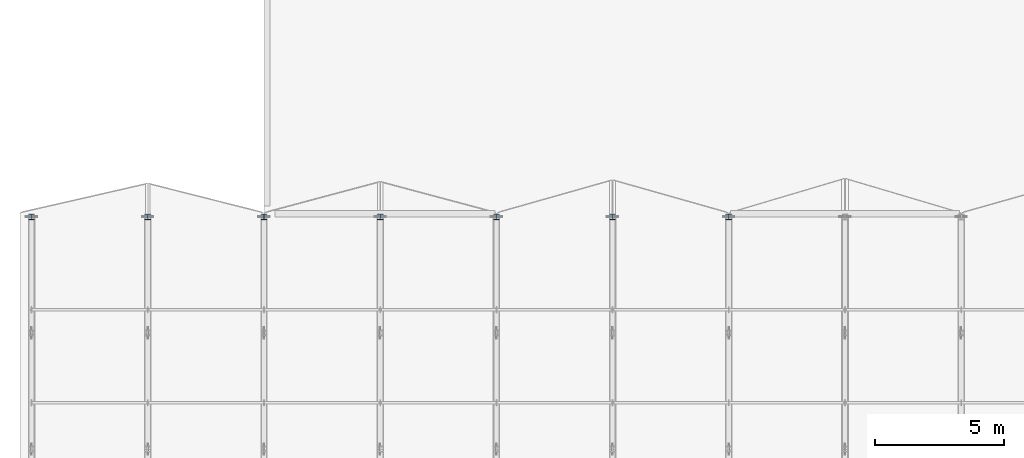
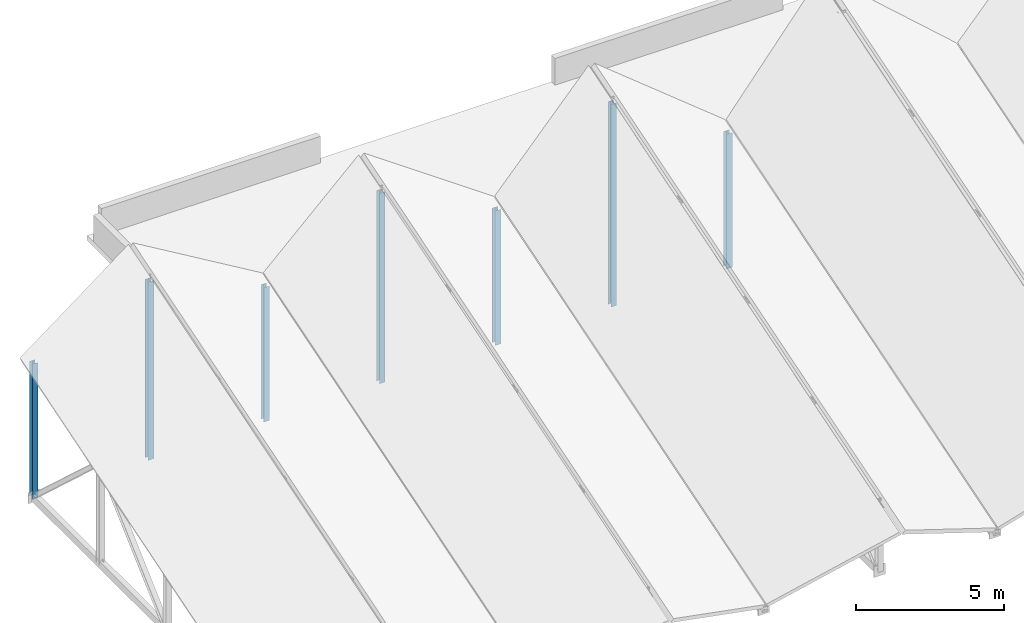
# One storey, part 68 of 142: 7 members.
"""IFC4 building model written with IfcOpenShell, lengths in metres."""

from ifc_helpers import new_model, si_unit, direction, frame, origin, origin_2d, place, context, subcontext, project, spatial, i_section, extrude, material, material_profile, profile_set, type_object, element, save


model = new_model("IFC4")

# Units and contexts
model_context = context("Model", 3, precision=1e-05, world=origin(), true_north=direction((0.0, 1.0)))
body_context = subcontext(model_context, "Body", "Model", "MODEL_VIEW")
ifc_project = project(units=[si_unit("LENGTHUNIT", "METRE"), si_unit("AREAUNIT", "SQUARE_METRE"), si_unit("VOLUMEUNIT", "CUBIC_METRE"), si_unit("PLANEANGLEUNIT", "RADIAN"), si_unit("MASSUNIT", "GRAM", prefix="KILO")], contexts=[model_context])

# Site, building, storey
site_placement = place(None, origin())
site = spatial("IfcSite", under=ifc_project, at=site_placement, CompositionType="ELEMENT")
building_placement = place(site_placement, origin())
building = spatial("IfcBuilding", under=site, at=building_placement, Name="Montelvaro Courts of Justice", CompositionType="ELEMENT")
storey_placement = place(building_placement, frame((0.0, 0.0, 14.39990234375)))
storey = spatial("IfcBuildingStorey", under=building, at=storey_placement, Name="L03", CompositionType="ELEMENT", Elevation=14.39990234375)

# Members
ifc_material = material(Name="Steel S355", Category="steel")
ifc_material_profile = material_profile(ifc_material, i_section(OverallWidth=0.219970703125, OverallDepth=0.2099609375, WebThickness=0.007080078125, FlangeThickness=0.010986328125, at=origin_2d()), Name="HEA 220")
ifc_profile_set = profile_set([ifc_material_profile], Name="Steel S355")
member_type = type_object("IfcMemberType", Name="Mem_HEA220_Post", PredefinedType="POST", material=ifc_profile_set)
for number, where, z_axis, x_axis, name in (
    (1, (18.0, 96.0, -0.2998046875), (0.0, 0.0, 1.0), (1.0, 0.0, 0.0), "Roof Truss Post MP-03 ROOF-V1-VTR01-V4"),
    (2, (27.0, 96.0, -0.2998046875), (0.0, 0.0, 1.0), (1.0, 0.0, 0.0), "Roof Truss Post MP-03 ROOF-V1-VTR02-V4"),
    (3, (36.0, 96.0, -0.2998046875), (0.0, 0.0, 1.0), (1.0, 0.0, 0.0), "Roof Truss Post MP-03 ROOF-V1-VTR03-V4"),
    (4, (45.0, 96.0, -0.2998046875), (0.0, 0.0, 1.0), (1.0, 0.0, 0.0), "Roof Truss Post MP-03 ROOF-V1-VTR04-V4"),
):
    element("IfcMember", number, at=place(storey_placement, frame(where, z_axis=z_axis, x_axis=x_axis)), inside=storey, type_object=member_type, Name=name, PredefinedType="POST", context=body_context, shape_type="SweptSolid", body=[
        extrude(i_section(OverallWidth=0.219970703125, OverallDepth=0.2099609375, WebThickness=0.007080078125, FlangeThickness=0.010986328125, at=origin_2d()), origin(), (0.0, 0.0, 1.0), 5.52978515625),
    ])
member_1_placement = place(storey_placement, frame((22.5, 96.0, -0.2998046875), z_axis=(0.0, 0.0, 1.0), x_axis=(1.0, 0.0, 0.0)))
element("IfcMember", 5, at=member_1_placement, inside=storey, type_object=member_type, Name="Roof Truss Post MP-03 ROOF-V1-RTR01-V4", PredefinedType="POST", context=body_context, shape_type="SweptSolid", body=[
    extrude(i_section(OverallWidth=0.219970703125, OverallDepth=0.2099609375, WebThickness=0.007080078125, FlangeThickness=0.010986328125, at=origin_2d()), origin(), (0.0, 0.0, 1.0), 7.329833984375),
])
member_2_placement = place(storey_placement, frame((31.5, 96.0, -0.2998046875), z_axis=(0.0, 0.0, 1.0), x_axis=(1.0, 0.0, 0.0)))
element("IfcMember", 6, at=member_2_placement, inside=storey, type_object=member_type, Name="Roof Truss Post MP-03 ROOF-V1-RTR02-V4", PredefinedType="POST", context=body_context, shape_type="SweptSolid", body=[
    extrude(i_section(OverallWidth=0.219970703125, OverallDepth=0.2099609375, WebThickness=0.007080078125, FlangeThickness=0.010986328125, at=origin_2d()), origin(), (0.0, 0.0, 1.0), 7.829833984375),
])
member_3_placement = place(storey_placement, frame((40.5, 96.0, -0.2998046875), z_axis=(0.0, 0.0, 1.0), x_axis=(1.0, 0.0, 0.0)))
element("IfcMember", 7, at=member_3_placement, inside=storey, type_object=member_type, Name="Roof Truss Post MP-03 ROOF-V1-RTR03-V4", PredefinedType="POST", context=body_context, shape_type="SweptSolid", body=[
    extrude(i_section(OverallWidth=0.219970703125, OverallDepth=0.2099609375, WebThickness=0.007080078125, FlangeThickness=0.010986328125, at=origin_2d()), origin(), (0.0, 0.0, 1.0), 8.329833984375),
])

save(model, "model.ifc")
